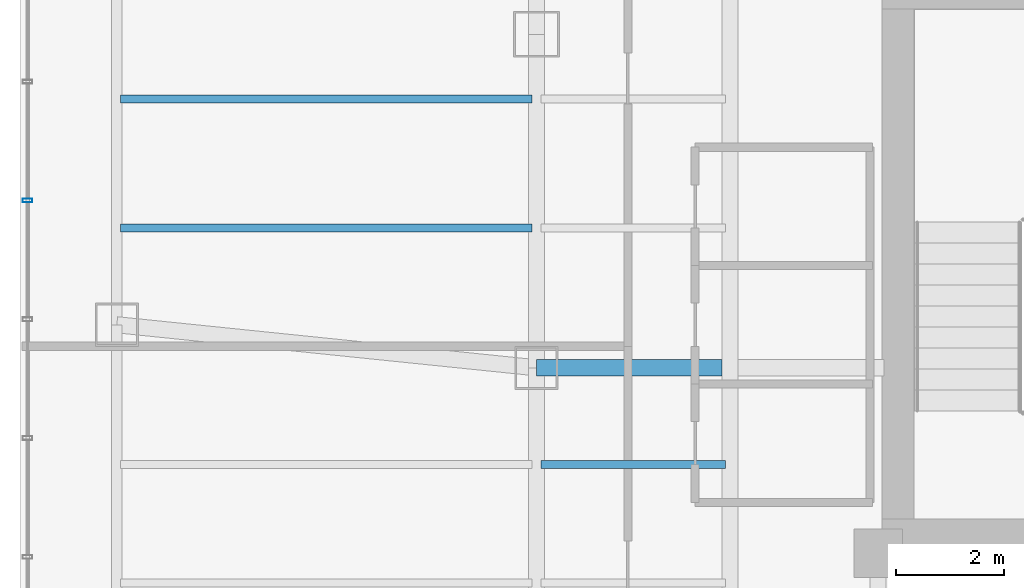
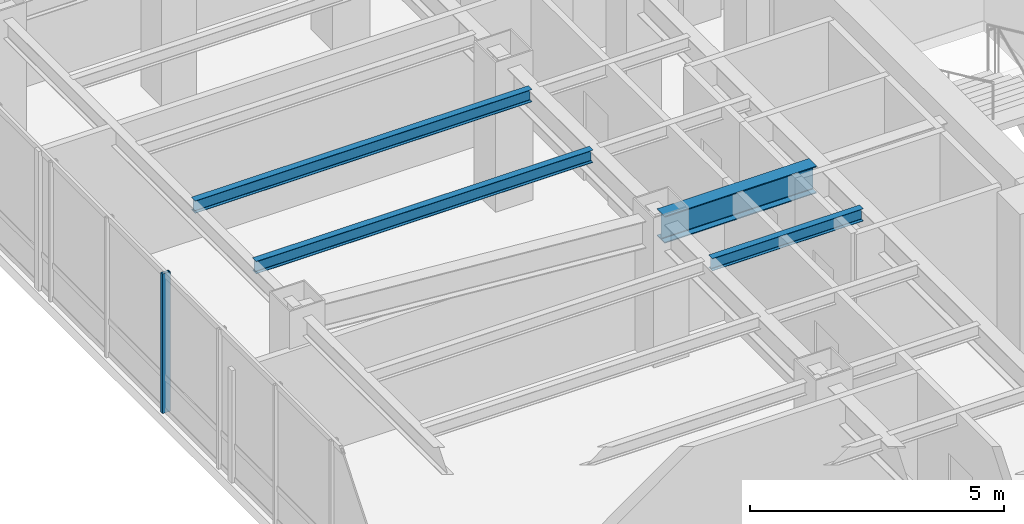
# One storey, part 8 of 27: 4 beams, 1 member, 1 element without a shape of its own.
"""IFC4 building model written with IfcOpenShell, lengths in metres."""

from ifc_helpers import new_model, si_unit, direction, frame, origin, origin_2d, place, context, subcontext, project, spatial, hollow_rectangle, i_section, extrude, material, layer, layer_set, material_profile, profile_set, type_object, element, aggregate, save


model = new_model("IFC4")

# Units and contexts
model_context = context("Model", 3, precision=1e-05, world=origin(), true_north=direction((0.0, 1.0)))
body_context = subcontext(model_context, "Body", "Model", "MODEL_VIEW")
ifc_project = project(units=[si_unit("LENGTHUNIT", "METRE"), si_unit("AREAUNIT", "SQUARE_METRE"), si_unit("VOLUMEUNIT", "CUBIC_METRE"), si_unit("PLANEANGLEUNIT", "RADIAN"), si_unit("MASSUNIT", "GRAM", prefix="KILO")], contexts=[model_context])

# Site, building, storey
site_placement = place(None, origin())
site = spatial("IfcSite", under=ifc_project, at=site_placement, CompositionType="ELEMENT")
building_placement = place(site_placement, origin())
building = spatial("IfcBuilding", under=site, at=building_placement, Name="Hatsunagi Terrace Concourse", CompositionType="ELEMENT")
storey_placement = place(building_placement, frame((0.0, 0.0, 142.050048828125)))
storey = spatial("IfcBuildingStorey", under=building, at=storey_placement, Name="L37", CompositionType="ELEMENT", Elevation=142.050048828125)

# Curtain wall, member
ifc_material_1 = material(Name="Anodised Aluminium Alloy 6063-T5", Category="aluminium")
ifc_layer = layer(ifc_material_1, 0.199951171875)
ifc_layer_set = layer_set([ifc_layer], Name="OfficeZone1_CW03")
curtain_wall_type = type_object("IfcCurtainWallType", Name="OfficeZone1_CW03", PredefinedType="NOTDEFINED", material=ifc_layer_set)
curtain_wall_placement = place(storey_placement, origin())
curtain_wall = element("IfcCurtainWall", 1, at=curtain_wall_placement, inside=storey, type_object=curtain_wall_type, Name="Unitised Curtain Wall CW-03 CW-L37-09", PredefinedType="NOTDEFINED")
ifc_material_2 = material(Name="Anodised Aluminium Alloy 6063-T5", Category="aluminium")
ifc_material_profile_1 = material_profile(ifc_material_2, hollow_rectangle(XDim=0.070068359375, YDim=0.179931640625, WallThickness=0.00390625, at=origin_2d()), Name="ALU-MUL-180x70x4")
ifc_profile_set_1 = profile_set([ifc_material_profile_1], Name="Anodised Aluminium Alloy 6063-T5")
member_type = type_object("IfcMemberType", Name="CurtainWallMullion_180x70", PredefinedType="MULLION", material=ifc_profile_set_1)
member_placement = place(storey_placement, frame((9.739990234375, 39.10791015625, 0.0), z_axis=(0.0, 0.0, 1.0), x_axis=(0.0, 1.0, 0.0)))
member = element("IfcMember", 2, at=member_placement, type_object=member_type, Name="Curtain Wall Mullion MUL-02", PredefinedType="MULLION", context=body_context, shape_type="SweptSolid", body=[
    extrude(hollow_rectangle(XDim=0.070068359375, YDim=0.179931640625, WallThickness=0.00390625, at=origin_2d()), origin(), (0.0, 0.0, 1.0), 3.349853515625),
])
aggregate(curtain_wall, [member])

# Beams
ifc_material_3 = material(Name="Steel SN490B", Category="steel")
ifc_material_profile_2 = material_profile(ifc_material_3, i_section(OverallWidth=0.14990234375, OverallDepth=0.300048828125, WebThickness=0.006591796875, FlangeThickness=0.009033203125, FilletRadius=0.010986328125, at=origin_2d()), Name="H-300x150x6.5x9")
ifc_profile_set_2 = profile_set([ifc_material_profile_2], Name="Steel SN490B")
beam_type_1 = type_object("IfcBeamType", Name="OfficeJoist_H_300x150", PredefinedType="JOIST", material=ifc_profile_set_2)
beam_1_placement = place(storey_placement, frame((19.284912109375, 34.199951171875, 3.199951171875), z_axis=(1.0, 0.0, 0.0), x_axis=(0.0, 1.0, 0.0)))
element("IfcBeam", 3, at=beam_1_placement, inside=storey, type_object=beam_type_1, Name="Beam J-03 J-L37-W-19-342", PredefinedType="JOIST", context=body_context, shape_type="SweptSolid", body=[
    extrude(i_section(OverallWidth=0.14990234375, OverallDepth=0.300048828125, WebThickness=0.006591796875, FlangeThickness=0.009033203125, FilletRadius=0.010986328125, at=origin_2d()), origin(), (0.0, 0.0, 1.0), 3.43017578125),
])
for number, where, z_axis, x_axis, name in (
    (4, (11.465087890625, 38.60009765625, 3.199951171875), (1.0, 0.0, 0.0), (0.0, 1.0, 0.0), "Beam J-03 J-L37-W-11-386"),
    (5, (11.465087890625, 41.0, 3.199951171875), (1.0, 0.0, 0.0), (0.0, 1.0, 0.0), "Beam J-03 J-L37-W-11-410"),
):
    element("IfcBeam", number, at=place(storey_placement, frame(where, z_axis=z_axis, x_axis=x_axis)), inside=storey, type_object=beam_type_1, Name=name, PredefinedType="JOIST", context=body_context, shape_type="SweptSolid", body=[
        extrude(i_section(OverallWidth=0.14990234375, OverallDepth=0.300048828125, WebThickness=0.006591796875, FlangeThickness=0.009033203125, FilletRadius=0.010986328125, at=origin_2d()), origin(), (0.0, 0.0, 1.0), 7.64990234375),
    ])
ifc_material_4 = material(Name="Steel SN490B", Category="steel")
ifc_material_profile_3 = material_profile(ifc_material_4, i_section(OverallWidth=0.300048828125, OverallDepth=0.64990234375, WebThickness=0.012939453125, FlangeThickness=0.02197265625, FilletRadius=0.01806640625, at=origin_2d()), Name="H-650x300x13x22")
ifc_profile_set_3 = profile_set([ifc_material_profile_3], Name="Steel SN490B")
beam_type_2 = type_object("IfcBeamType", Name="OfficeLowGirder_H_650x300", PredefinedType="BEAM", material=ifc_profile_set_3)
beam_2_placement = place(storey_placement, frame((19.199951171875, 36.0, 3.02490234375), z_axis=(1.0, 0.0, 0.0), x_axis=(0.0, 1.0, 0.0)))
element("IfcBeam", 6, at=beam_2_placement, inside=storey, type_object=beam_type_2, Name="Beam G-05 BM-L37-EW-3", PredefinedType="BEAM", context=body_context, shape_type="SweptSolid", body=[
    extrude(i_section(OverallWidth=0.300048828125, OverallDepth=0.64990234375, WebThickness=0.012939453125, FlangeThickness=0.02197265625, FilletRadius=0.01806640625, at=origin_2d()), origin(), (0.0, 0.0, 1.0), 3.449951171875),
])

save(model, "model.ifc")
